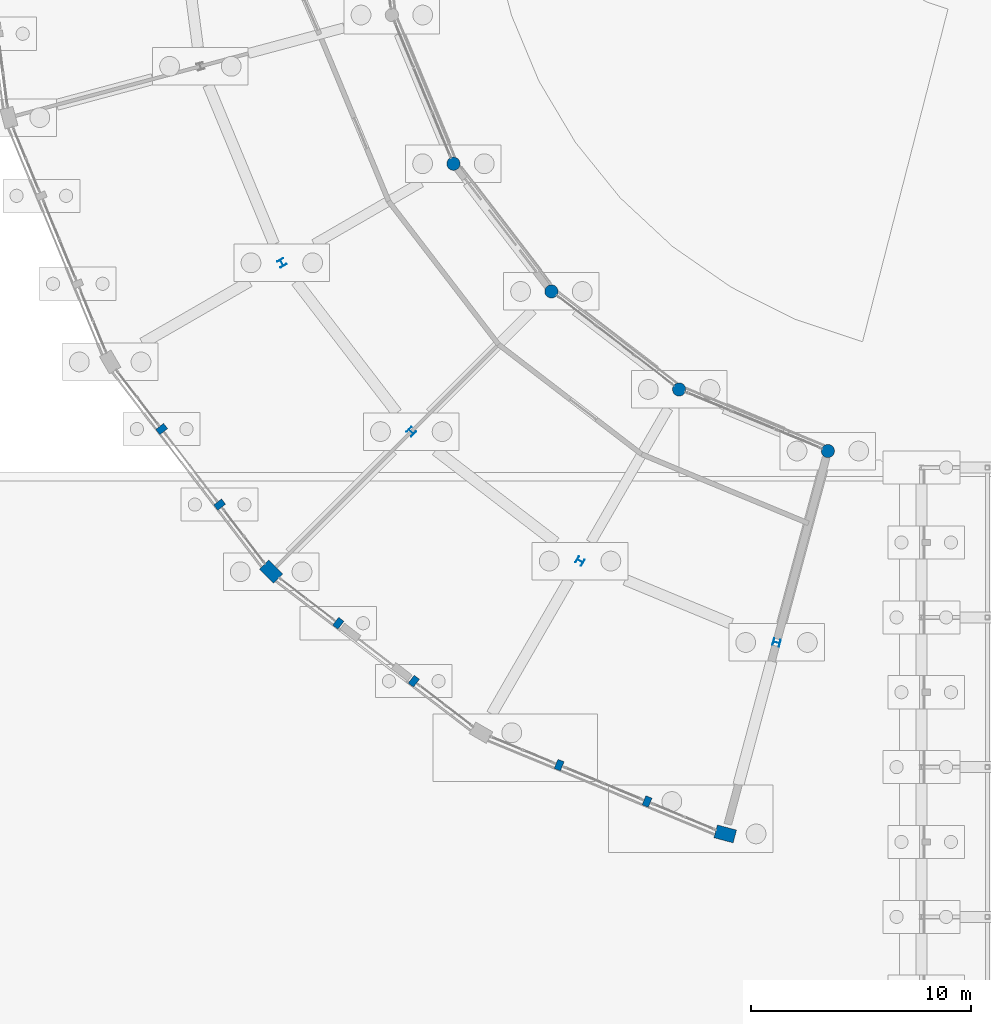
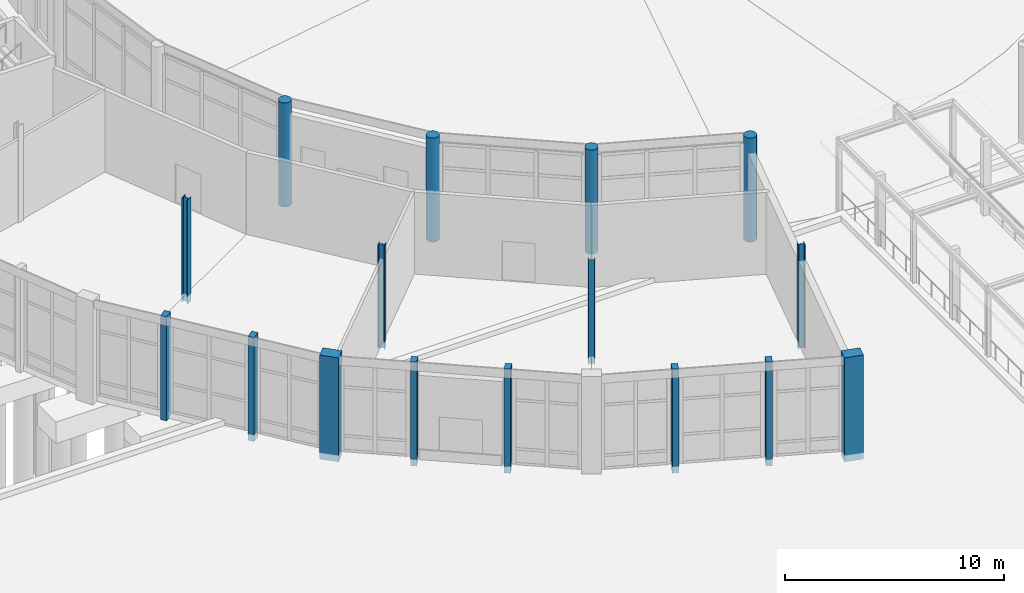
# One storey, part 9 of 137: 16 columns.
"""IFC4 building model written with IfcOpenShell, lengths in metres."""

from ifc_helpers import new_model, si_unit, direction, frame, origin, origin_2d, place, context, subcontext, project, spatial, rectangle, circle, i_section, extrude, material, material_profile, profile_set, type_object, element, save


model = new_model("IFC4")

# Units and contexts
model_context = context("Model", 3, precision=1e-05, world=origin(), true_north=direction((0.0, 1.0)))
body_context = subcontext(model_context, "Body", "Model", "MODEL_VIEW")
ifc_project = project(units=[si_unit("LENGTHUNIT", "METRE"), si_unit("AREAUNIT", "SQUARE_METRE"), si_unit("VOLUMEUNIT", "CUBIC_METRE"), si_unit("PLANEANGLEUNIT", "RADIAN"), si_unit("MASSUNIT", "GRAM", prefix="KILO")], contexts=[model_context])

# Site, building, storey
site_placement = place(None, origin())
site = spatial("IfcSite", under=ifc_project, at=site_placement, CompositionType="ELEMENT")
building_placement = place(site_placement, origin())
building = spatial("IfcBuilding", under=site, at=building_placement, Name="Vondelvale Polytechnic", CompositionType="ELEMENT")
storey_placement = place(building_placement, origin())
storey = spatial("IfcBuildingStorey", under=building, at=storey_placement, Name="L00", CompositionType="ELEMENT", Elevation=0.0)

# Columns
ifc_material_1 = material(Name="Glulam GL18 structural Tasmanian oak (fb = 42 MPa)", Category="wood")
ifc_material_profile_1 = material_profile(ifc_material_1, rectangle(XDim=0.300048828125, YDim=0.449951171875, at=origin_2d()), Name="GL-POST-300x450")
ifc_profile_set_1 = profile_set([ifc_material_profile_1], Name="Glulam GL18 structural Tasmanian oak (fb = 42 MPa)")
column_type_1 = type_object("IfcColumnType", Name="COL-GLULAM-300x450", PredefinedType="PILASTER", material=ifc_profile_set_1)
for number, where, z_axis, x_axis, name in (
    (1, (64.502197265625, 45.951416015625, -0.39990234375), (0.0, 0.0, 1.0), (-0.608761429009, 0.793353340291, 0.0), "L00 ring outer glulam timber post C14-P1"),
    (2, (67.1337890625, 42.521728515625, -0.39990234375), (0.0, 0.0, 1.0), (-0.608761429009, 0.793353340291, 0.0), "L00 ring outer glulam timber post C14-P2"),
    (3, (72.521728515625, 37.1337890625, -0.39990234375), (0.0, 0.0, 1.0), (-0.793353340291, 0.608761429009, 0.0), "L00 ring outer glulam timber post C15-P1"),
    (4, (75.951416015625, 34.502197265625, -0.39990234375), (0.0, 0.0, 1.0), (-0.793353340291, 0.608761429009, 0.0), "L00 ring outer glulam timber post C15-P2"),
    (5, (82.55029296875, 30.6923828125, -0.39990234375), (0.0, 0.0, 1.0), (-0.923879532511, 0.382683432365, 0.0), "L00 ring outer glulam timber post C16-P1"),
    (6, (86.544189453125, 29.037841796875, -0.39990234375), (0.0, 0.0, 1.0), (-0.923879532511, 0.382683432365, 0.0), "L00 ring outer glulam timber post C16-P2"),
):
    element("IfcColumn", number, at=place(storey_placement, frame(where, z_axis=z_axis, x_axis=x_axis)), inside=storey, type_object=column_type_1, Name=name, PredefinedType="PILASTER", context=body_context, shape_type="SweptSolid", body=[
        extrude(rectangle(XDim=0.300048828125, YDim=0.449951171875, at=origin_2d()), origin(), (0.0, 0.0, 1.0), 5.7998046875),
    ])
ifc_material_2 = material(Name="Concrete N50 (f'c = 50 MPa)", Category="concrete")
ifc_material_profile_2 = material_profile(ifc_material_2, rectangle(XDim=0.60009765625, YDim=0.89990234375, at=origin_2d()), Name="RC-COL-900x600")
ifc_profile_set_2 = profile_set([ifc_material_profile_2], Name="Concrete N50 (f'c = 50 MPa)")
column_type_2 = type_object("IfcColumnType", Name="COL-RC900x600", PredefinedType="COLUMN", material=ifc_profile_set_2)
for number, where, z_axis, x_axis, name in (
    (7, (69.47314453125, 39.47314453125, -0.39990234375), (0.0, 0.0, 1.0), (0.707106781187, 0.707106781187, 0.0), "L00 courtyard ring column S15-RO"),
    (8, (90.09423828125, 27.5673828125, -0.39990234375), (0.0, 0.0, 1.0), (0.258819045103, 0.965925826289, 0.0), "L00 courtyard ring column S17-RO"),
):
    element("IfcColumn", number, at=place(storey_placement, frame(where, z_axis=z_axis, x_axis=x_axis)), inside=storey, type_object=column_type_2, Name=name, PredefinedType="COLUMN", context=body_context, shape_type="SweptSolid", body=[
        extrude(rectangle(XDim=0.60009765625, YDim=0.89990234375, at=origin_2d()), origin(), (0.0, 0.0, 1.0), 5.7998046875),
    ])
ifc_material_profile_3 = material_profile(ifc_material_2, circle(Radius=0.300048828125, at=origin_2d()), Name="RC-COL-D600")
ifc_profile_set_3 = profile_set([ifc_material_profile_3], Name="Concrete N50 (f'c = 50 MPa)")
column_type_3 = type_object("IfcColumnType", Name="COL-RCD600", PredefinedType="COLUMN", material=ifc_profile_set_3)
for number, where, z_axis, x_axis, name in (
    (9, (77.751220703125, 58.0, -0.39990234375), (0.0, 0.0, 1.0), (0.866025403784, 0.5, 0.0), "L00 courtyard ring column S14-RI"),
    (10, (82.200927734375, 52.200927734375, -0.39990234375), (0.0, 0.0, 1.0), (0.707106781187, 0.707106781187, 0.0), "L00 courtyard ring column S15-RI"),
    (11, (88.0, 47.751220703125, -0.39990234375), (0.0, 0.0, 1.0), (0.5, 0.866025403784, 0.0), "L00 courtyard ring column S16-RI"),
    (12, (94.753173828125, 44.9541015625, -0.39990234375), (0.0, 0.0, 1.0), (0.258819045103, 0.965925826289, 0.0), "L00 courtyard ring column S17-RI"),
):
    element("IfcColumn", number, at=place(storey_placement, frame(where, z_axis=z_axis, x_axis=x_axis)), inside=storey, type_object=column_type_3, Name=name, PredefinedType="COLUMN", context=body_context, shape_type="SweptSolid", body=[
        extrude(circle(Radius=0.300048828125, at=origin_2d()), origin(), (0.0, 0.0, 1.0), 5.7998046875),
    ])
ifc_material_3 = material(Name="Steel 300PLUS (fy = 300 MPa)", Category="steel")
ifc_material_profile_4 = material_profile(ifc_material_3, i_section(OverallWidth=0.30908203125, OverallDepth=0.321044921875, WebThickness=0.013916015625, FlangeThickness=0.021728515625, FilletRadius=0.0166015625, at=origin_2d()), Name="310UC137")
ifc_profile_set_4 = profile_set([ifc_material_profile_4], Name="Steel 300PLUS (fy = 300 MPa)")
column_type_4 = type_object("IfcColumnType", Name="COL-UC310M", PredefinedType="COLUMN", material=ifc_profile_set_4)
for number, where, z_axis, x_axis, name in (
    (13, (69.95703125, 53.5, -0.39990234375), (0.0, 0.0, 1.0), (0.866025403784, 0.5, 0.0), "L00 courtyard ring column S14-RM"),
    (14, (75.8369140625, 45.8369140625, -0.39990234375), (0.0, 0.0, 1.0), (0.707106781187, 0.707106781187, 0.0), "L00 courtyard ring column S15-RM"),
    (15, (83.5, 39.95703125, -0.39990234375), (0.0, 0.0, 1.0), (0.5, 0.866025403784, 0.0), "L00 courtyard ring column S16-RM"),
    (16, (92.423583984375, 36.2607421875, -0.39990234375), (0.0, 0.0, 1.0), (0.258819045103, 0.965925826289, 0.0), "L00 courtyard ring column S17-RM"),
):
    element("IfcColumn", number, at=place(storey_placement, frame(where, z_axis=z_axis, x_axis=x_axis)), inside=storey, type_object=column_type_4, Name=name, PredefinedType="COLUMN", context=body_context, shape_type="SweptSolid", body=[
        extrude(i_section(OverallWidth=0.30908203125, OverallDepth=0.321044921875, WebThickness=0.013916015625, FlangeThickness=0.021728515625, FilletRadius=0.0166015625, at=origin_2d()), origin(), (0.0, 0.0, 1.0), 5.7998046875),
    ])

save(model, "model.ifc")
